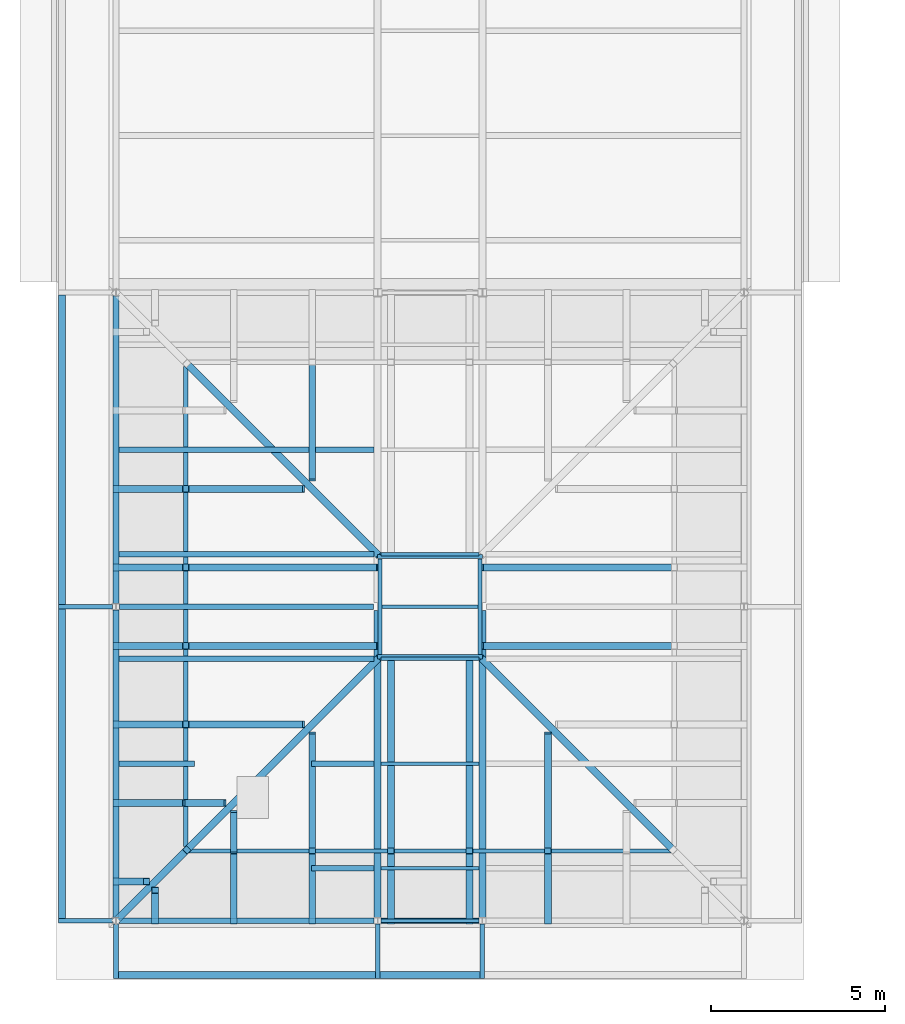
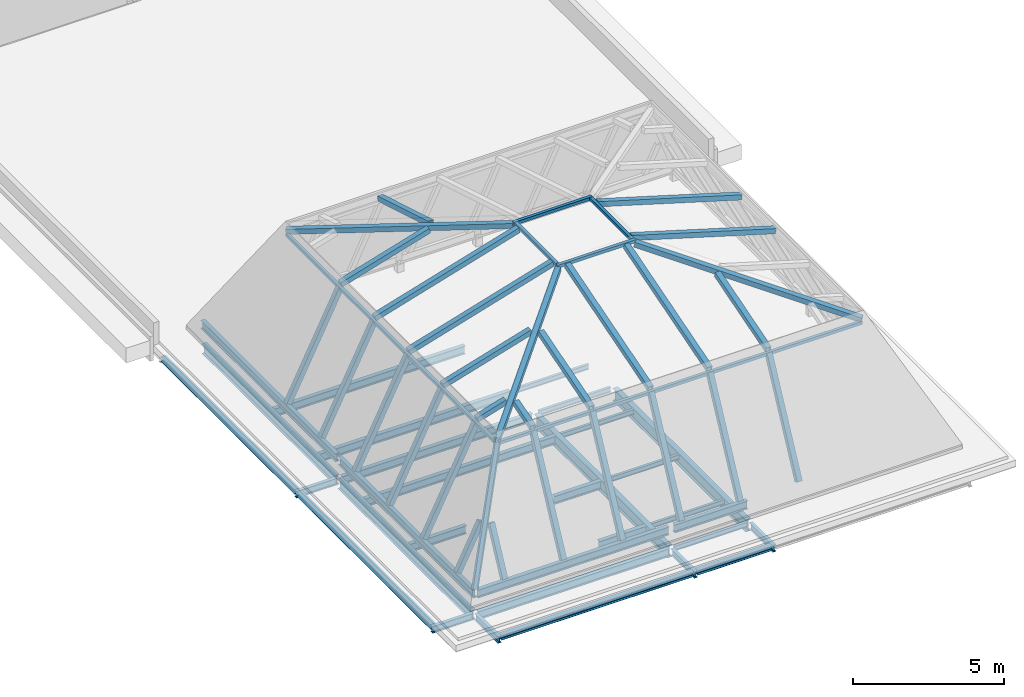
# One storey, part 5 of 29: 35 members, 31 beams.
"""IFC4 building model written with IfcOpenShell, lengths in metres."""

from ifc_helpers import new_model, si_unit, direction, frame, origin, origin_2d, place, context, subcontext, project, spatial, hollow_rectangle, i_section, extrude, material, material_profile, profile_set, type_object, element, save


model = new_model("IFC4")

# Units and contexts
model_context = context("Model", 3, precision=1e-05, world=origin(), true_north=direction((0.0, 1.0)))
body_context = subcontext(model_context, "Body", "Model", "MODEL_VIEW")
ifc_project = project(units=[si_unit("LENGTHUNIT", "METRE"), si_unit("AREAUNIT", "SQUARE_METRE"), si_unit("VOLUMEUNIT", "CUBIC_METRE"), si_unit("PLANEANGLEUNIT", "RADIAN"), si_unit("MASSUNIT", "GRAM", prefix="KILO")], contexts=[model_context])

# Site, building, storey
site_placement = place(None, origin())
site = spatial("IfcSite", under=ifc_project, at=site_placement, CompositionType="ELEMENT")
building_placement = place(site_placement, origin())
building = spatial("IfcBuilding", under=site, at=building_placement, Name="Golden Quay Civic Hall", CompositionType="ELEMENT")
storey_placement = place(building_placement, frame((0.0, 0.0, 27.0)))
storey = spatial("IfcBuildingStorey", under=building, at=storey_placement, Name="L06", CompositionType="ELEMENT", Elevation=27.0)

# Beams
ifc_material_1 = material(Name="Steel S355", Category="steel")
ifc_material_profile_1 = material_profile(ifc_material_1, i_section(OverallWidth=0.199951171875, OverallDepth=0.18994140625, WebThickness=0.006591796875, FlangeThickness=0.010009765625, FilletRadius=0.01806640625, at=origin_2d()), Name="HEA 200")
ifc_profile_set_1 = profile_set([ifc_material_profile_1], Name="Steel S355")
beam_type_1 = type_object("IfcBeamType", Name="Eave edge beam HEA 200", PredefinedType="BEAM", material=ifc_profile_set_1)
for number, where, z_axis, x_axis, name in (
    (1, (-1.550048828125, -8.9326171875, -0.344970703125), (0.0, 1.0, 0.0), (-1.0, 0.0, 0.0), "Eave edge beam HEA 200 L06 1"),
    (2, (-1.550048828125, 0.0673828125, -0.344970703125), (0.0, 1.0, 0.0), (-1.0, 0.0, 0.0), "Eave edge beam HEA 200 L06 2"),
):
    element("IfcBeam", number, at=place(storey_placement, frame(where, z_axis=z_axis, x_axis=x_axis)), inside=storey, type_object=beam_type_1, Name=name, PredefinedType="BEAM", context=body_context, shape_type="SweptSolid", body=[
        extrude(i_section(OverallWidth=0.199951171875, OverallDepth=0.18994140625, WebThickness=0.006591796875, FlangeThickness=0.010009765625, FilletRadius=0.01806640625, at=origin_2d()), origin(), (0.0, 0.0, 1.0), 8.865234375),
    ])
beam_1_placement = place(storey_placement, frame((0.0673828125, -10.550048828125, -0.344970703125), z_axis=(1.0, 0.0, 0.0), x_axis=(0.0, 1.0, 0.0)))
element("IfcBeam", 3, at=beam_1_placement, inside=storey, type_object=beam_type_1, Name="Eave edge beam HEA 200 L06 26", PredefinedType="BEAM", context=body_context, shape_type="SweptSolid", body=[
    extrude(i_section(OverallWidth=0.199951171875, OverallDepth=0.18994140625, WebThickness=0.006591796875, FlangeThickness=0.010009765625, FilletRadius=0.01806640625, at=origin_2d()), origin(), (0.0, 0.0, 1.0), 7.365234375),
])
beam_2_placement = place(storey_placement, frame((7.5673828125, -10.550048828125, -0.344970703125), z_axis=(1.0, 0.0, 0.0), x_axis=(0.0, 1.0, 0.0)))
element("IfcBeam", 4, at=beam_2_placement, inside=storey, type_object=beam_type_1, Name="Eave edge beam HEA 200 L06 27", PredefinedType="BEAM", context=body_context, shape_type="SweptSolid", body=[
    extrude(i_section(OverallWidth=0.199951171875, OverallDepth=0.18994140625, WebThickness=0.006591796875, FlangeThickness=0.010009765625, FilletRadius=0.01806640625, at=origin_2d()), origin(), (0.0, 0.0, 1.0), 2.865234375),
])
ifc_material_2 = material(Name="Steel S355", Category="steel")
ifc_material_profile_2 = material_profile(ifc_material_2, i_section(OverallWidth=0.135009765625, OverallDepth=0.27001953125, WebThickness=0.006591796875, FlangeThickness=0.01025390625, FilletRadius=0.014892578125, at=origin_2d()), Name="IPE 270")
ifc_profile_set_2 = profile_set([ifc_material_profile_2], Name="Steel S355")
beam_type_2 = type_object("IfcBeamType", Name="Eave stub IPE 270", PredefinedType="BEAM", material=ifc_profile_set_2)
for number, where, z_axis, x_axis, name in (
    (5, (-0.10009765625, -9.0, -0.385009765625), (-1.0, 0.0, 0.0), (0.0, -1.0, 0.0), "Eave stub IPE 270 L06 1"),
    (6, (-0.10009765625, 0.0, -0.385009765625), (-1.0, 0.0, 0.0), (0.0, -1.0, 0.0), "Eave stub IPE 270 L06 2"),
):
    element("IfcBeam", number, at=place(storey_placement, frame(where, z_axis=z_axis, x_axis=x_axis)), inside=storey, type_object=beam_type_2, Name=name, PredefinedType="BEAM", context=body_context, shape_type="SweptSolid", body=[
        extrude(i_section(OverallWidth=0.135009765625, OverallDepth=0.27001953125, WebThickness=0.006591796875, FlangeThickness=0.01025390625, FilletRadius=0.014892578125, at=origin_2d()), origin(), (0.0, 0.0, 1.0), 1.5498046875),
    ])
for number, where, z_axis, x_axis, name in (
    (7, (0.0, -9.094970703125, -0.385009765625), (0.0, -1.0, 0.0), (1.0, 0.0, 0.0), "Eave stub IPE 270 L06 29"),
    (8, (7.5, -9.094970703125, -0.385009765625), (0.0, -1.0, 0.0), (1.0, 0.0, 0.0), "Eave stub IPE 270 L06 30"),
    (9, (10.5, -9.094970703125, -0.385009765625), (0.0, -1.0, 0.0), (1.0, 0.0, 0.0), "Eave stub IPE 270 L06 31"),
):
    element("IfcBeam", number, at=place(storey_placement, frame(where, z_axis=z_axis, x_axis=x_axis)), inside=storey, type_object=beam_type_2, Name=name, PredefinedType="BEAM", context=body_context, shape_type="SweptSolid", body=[
        extrude(i_section(OverallWidth=0.135009765625, OverallDepth=0.27001953125, WebThickness=0.006591796875, FlangeThickness=0.01025390625, FilletRadius=0.014892578125, at=origin_2d()), origin(), (0.0, 0.0, 1.0), 1.554931640625),
    ])
ifc_material_3 = material(Name="Steel S355", Category="steel")
ifc_material_profile_3 = material_profile(ifc_material_3, i_section(OverallWidth=0.10009765625, OverallDepth=0.199951171875, WebThickness=0.005615234375, FlangeThickness=0.008544921875, FilletRadius=0.011962890625, at=origin_2d()), Name="IPE 200")
ifc_profile_set_3 = profile_set([ifc_material_profile_3], Name="Steel S355")
beam_type_3 = type_object("IfcBeamType", Name="Steel beam IPE 200", PredefinedType="BEAM", material=ifc_profile_set_3)
beam_3_placement = place(storey_placement, frame((7.60009765625, -9.0, -0.35009765625), z_axis=(1.0, 0.0, 0.0), x_axis=(0.0, 1.0, 0.0)))
element("IfcBeam", 10, at=beam_3_placement, inside=storey, type_object=beam_type_3, Name="Beam S-9-7.5", PredefinedType="BEAM", context=body_context, shape_type="SweptSolid", body=[
    extrude(i_section(OverallWidth=0.10009765625, OverallDepth=0.199951171875, WebThickness=0.005615234375, FlangeThickness=0.008544921875, FilletRadius=0.011962890625, at=origin_2d()), origin(), (0.0, 0.0, 1.0), 2.7998046875),
])
beam_4_placement = place(storey_placement, frame((7.6201171875, 0.0, -0.35009765625), z_axis=(1.0, 0.0, 0.0), x_axis=(0.0, 1.0, 0.0)))
element("IfcBeam", 11, at=beam_4_placement, inside=storey, type_object=beam_type_3, Name="Beam S0-7.5", PredefinedType="BEAM", context=body_context, shape_type="SweptSolid", body=[
    extrude(i_section(OverallWidth=0.10009765625, OverallDepth=0.199951171875, WebThickness=0.005615234375, FlangeThickness=0.008544921875, FilletRadius=0.011962890625, at=origin_2d()), origin(), (0.0, 0.0, 1.0), 2.759765625),
])
ifc_material_4 = material(Name="Steel S355", Category="steel")
ifc_material_profile_4 = material_profile(ifc_material_4, i_section(OverallWidth=0.159912109375, OverallDepth=0.330078125, WebThickness=0.007568359375, FlangeThickness=0.011474609375, FilletRadius=0.01806640625, at=origin_2d()), Name="IPE 330")
ifc_profile_set_4 = profile_set([ifc_material_profile_4], Name="Steel S355")
beam_type_4 = type_object("IfcBeamType", Name="Steel beam IPE 330", PredefinedType="BEAM", material=ifc_profile_set_4)
beam_5_placement = place(storey_placement, frame((0.10009765625, -9.0, -0.4150390625), z_axis=(1.0, 0.0, 0.0), x_axis=(0.0, 1.0, 0.0)))
element("IfcBeam", 12, at=beam_5_placement, inside=storey, type_object=beam_type_4, Name="Beam S-9-0", PredefinedType="BEAM", context=body_context, shape_type="SweptSolid", body=[
    extrude(i_section(OverallWidth=0.159912109375, OverallDepth=0.330078125, WebThickness=0.007568359375, FlangeThickness=0.011474609375, FilletRadius=0.01806640625, at=origin_2d()), origin(), (0.0, 0.0, 1.0), 7.2998046875),
])
beam_6_placement = place(storey_placement, frame((0.10009765625, 0.0, -0.4150390625), z_axis=(1.0, 0.0, 0.0), x_axis=(0.0, 1.0, 0.0)))
element("IfcBeam", 13, at=beam_6_placement, inside=storey, type_object=beam_type_4, Name="Beam S0-0", PredefinedType="BEAM", context=body_context, shape_type="SweptSolid", body=[
    extrude(i_section(OverallWidth=0.159912109375, OverallDepth=0.330078125, WebThickness=0.007568359375, FlangeThickness=0.011474609375, FilletRadius=0.01806640625, at=origin_2d()), origin(), (0.0, 0.0, 1.0), 7.27978515625),
])
ifc_material_5 = material(Name="Steel S355", Category="steel")
ifc_material_profile_5 = material_profile(ifc_material_5, i_section(OverallWidth=0.179931640625, OverallDepth=0.39990234375, WebThickness=0.008544921875, FlangeThickness=0.013427734375, FilletRadius=0.02099609375, at=origin_2d()), Name="IPE 400")
ifc_profile_set_5 = profile_set([ifc_material_profile_5], Name="Steel S355")
beam_type_5 = type_object("IfcBeamType", Name="Steel beam IPE 400", PredefinedType="BEAM", material=ifc_profile_set_5)
for number, where, z_axis, x_axis, name in (
    (14, (0.0, -8.905029296875, -0.449951171875), (0.0, 1.0, 0.0), (-1.0, 0.0, 0.0), "Beam L0--9"),
    (15, (0.0, 0.094970703125, -0.449951171875), (0.0, 1.0, 0.0), (-1.0, 0.0, 0.0), "Beam L0-0"),
):
    element("IfcBeam", number, at=place(storey_placement, frame(where, z_axis=z_axis, x_axis=x_axis)), inside=storey, type_object=beam_type_5, Name=name, PredefinedType="BEAM", context=body_context, shape_type="SweptSolid", body=[
        extrude(i_section(OverallWidth=0.179931640625, OverallDepth=0.39990234375, WebThickness=0.008544921875, FlangeThickness=0.013427734375, FilletRadius=0.02099609375, at=origin_2d()), origin(), (0.0, 0.0, 1.0), 8.81005859375),
    ])
ifc_material_6 = material(Name="Steel S355", Category="steel")
ifc_material_profile_6 = material_profile(ifc_material_6, i_section(OverallWidth=0.199951171875, OverallDepth=0.5, WebThickness=0.01025390625, FlangeThickness=0.01611328125, FilletRadius=0.02099609375, at=origin_2d()), Name="IPE 500")
ifc_profile_set_6 = profile_set([ifc_material_profile_6], Name="Steel S355")
beam_type_6 = type_object("IfcBeamType", Name="Steel beam IPE 500", PredefinedType="BEAM", material=ifc_profile_set_6)
for number, where, z_axis, x_axis, name in (
    (16, (7.5, -8.905029296875, -0.5), (0.0, 1.0, 0.0), (-1.0, 0.0, 0.0), "Beam L7.5--9"),
    (17, (10.5, -8.905029296875, -0.5), (0.0, 1.0, 0.0), (-1.0, 0.0, 0.0), "Beam L10.5--9"),
):
    element("IfcBeam", number, at=place(storey_placement, frame(where, z_axis=z_axis, x_axis=x_axis)), inside=storey, type_object=beam_type_6, Name=name, PredefinedType="BEAM", context=body_context, shape_type="SweptSolid", body=[
        extrude(i_section(OverallWidth=0.199951171875, OverallDepth=0.5, WebThickness=0.01025390625, FlangeThickness=0.01611328125, FilletRadius=0.02099609375, at=origin_2d()), origin(), (0.0, 0.0, 1.0), 8.7900390625),
    ])

# Members
ifc_material_7 = material(Name="Steel S355", Category="steel")
ifc_material_profile_7 = material_profile(ifc_material_7, hollow_rectangle(XDim=0.199951171875, YDim=0.199951171875, WallThickness=0.010009765625, at=origin_2d()), Name="SHS 200x200x10")
ifc_profile_set_7 = profile_set([ifc_material_profile_7], Name="Steel S355")
member_type_1 = type_object("IfcMemberType", Name="Steel jack rafter SHS 200x200x10", PredefinedType="RAFTER", material=ifc_profile_set_7)
member_1_placement = place(storey_placement, frame((1.125, -9.0, 0.6748046875), z_axis=(0.0, 0.4472135955, 0.894427191), x_axis=(-1.0, 0.0, 0.0)))
element("IfcMember", 18, at=member_1_placement, inside=storey, type_object=member_type_1, Name="Jack rafter WO-S south 1", PredefinedType="RAFTER", context=body_context, shape_type="SweptSolid", body=[
    extrude(hollow_rectangle(XDim=0.199951171875, YDim=0.199951171875, WallThickness=0.010009765625, at=origin_2d()), origin(), (0.0, 0.0, 1.0), 1.95654296875),
])
member_2_placement = place(storey_placement, frame((3.375, -9.0, 0.6748046875), z_axis=(0.0, 0.4472135955, 0.894427191), x_axis=(-1.0, 0.0, 0.0)))
element("IfcMember", 19, at=member_2_placement, inside=storey, type_object=member_type_1, Name="Jack rafter WO-S south 2", PredefinedType="RAFTER", context=body_context, shape_type="SweptSolid", body=[
    extrude(hollow_rectangle(XDim=0.199951171875, YDim=0.199951171875, WallThickness=0.010009765625, at=origin_2d()), origin(), (0.0, 0.0, 1.0), 4.47216796875),
])
member_3_placement = place(storey_placement, frame((3.375, -7.0, 4.7939453125), z_axis=(0.0, 0.957849166577, 0.287271603344), x_axis=(-1.0, 0.0, 0.0)))
element("IfcMember", 20, at=member_3_placement, inside=storey, type_object=member_type_1, Name="Jack rafter WO-S south 2 upper", PredefinedType="RAFTER", context=body_context, shape_type="SweptSolid", body=[
    extrude(hollow_rectangle(XDim=0.199951171875, YDim=0.199951171875, WallThickness=0.010009765625, at=origin_2d()), origin(), (0.0, 0.0, 1.0), 1.174560546875),
])
member_4_placement = place(storey_placement, frame((5.625, -9.0, 0.6748046875), z_axis=(0.0, 0.4472135955, 0.894427191), x_axis=(-1.0, 0.0, 0.0)))
element("IfcMember", 21, at=member_4_placement, inside=storey, type_object=member_type_1, Name="Jack rafter WO-S south 3", PredefinedType="RAFTER", context=body_context, shape_type="SweptSolid", body=[
    extrude(hollow_rectangle(XDim=0.199951171875, YDim=0.199951171875, WallThickness=0.010009765625, at=origin_2d()), origin(), (0.0, 0.0, 1.0), 4.47216796875),
])
member_5_placement = place(storey_placement, frame((5.625, -7.0, 4.7939453125), z_axis=(0.0, 0.957830099126, 0.287335172242), x_axis=(-1.0, 0.0, 0.0)))
element("IfcMember", 22, at=member_5_placement, inside=storey, type_object=member_type_1, Name="Jack rafter WO-S south 3 upper", PredefinedType="RAFTER", context=body_context, shape_type="SweptSolid", body=[
    extrude(hollow_rectangle(XDim=0.199951171875, YDim=0.199951171875, WallThickness=0.010009765625, at=origin_2d()), origin(), (0.0, 0.0, 1.0), 3.523681640625),
])
member_6_placement = place(storey_placement, frame((7.875, -9.0, 0.6748046875), z_axis=(0.0, 0.4472135955, 0.894427191), x_axis=(-1.0, 0.0, 0.0)))
element("IfcMember", 23, at=member_6_placement, inside=storey, type_object=member_type_1, Name="Jack rafter WO-S south 4", PredefinedType="RAFTER", context=body_context, shape_type="SweptSolid", body=[
    extrude(hollow_rectangle(XDim=0.199951171875, YDim=0.199951171875, WallThickness=0.010009765625, at=origin_2d()), origin(), (0.0, 0.0, 1.0), 4.47216796875),
])
member_7_placement = place(storey_placement, frame((7.875, -7.0, 4.7939453125), z_axis=(0.0, 0.957830965904, 0.287332282829), x_axis=(-1.0, 0.0, 0.0)))
element("IfcMember", 24, at=member_7_placement, inside=storey, type_object=member_type_1, Name="Jack rafter WO-S south 4 upper", PredefinedType="RAFTER", context=body_context, shape_type="SweptSolid", body=[
    extrude(hollow_rectangle(XDim=0.199951171875, YDim=0.199951171875, WallThickness=0.010009765625, at=origin_2d()), origin(), (0.0, 0.0, 1.0), 5.7421875),
])
member_8_placement = place(storey_placement, frame((10.125, -9.0, 0.6748046875), z_axis=(0.0, 0.4472135955, 0.894427191), x_axis=(-1.0, 0.0, 0.0)))
element("IfcMember", 25, at=member_8_placement, inside=storey, type_object=member_type_1, Name="Jack rafter WO-S south 5", PredefinedType="RAFTER", context=body_context, shape_type="SweptSolid", body=[
    extrude(hollow_rectangle(XDim=0.199951171875, YDim=0.199951171875, WallThickness=0.010009765625, at=origin_2d()), origin(), (0.0, 0.0, 1.0), 4.47216796875),
])
member_9_placement = place(storey_placement, frame((10.125, -7.0, 4.7939453125), z_axis=(0.0, 0.957830965904, 0.287332282829), x_axis=(-1.0, 0.0, 0.0)))
element("IfcMember", 26, at=member_9_placement, inside=storey, type_object=member_type_1, Name="Jack rafter WO-S south 5 upper", PredefinedType="RAFTER", context=body_context, shape_type="SweptSolid", body=[
    extrude(hollow_rectangle(XDim=0.199951171875, YDim=0.199951171875, WallThickness=0.010009765625, at=origin_2d()), origin(), (0.0, 0.0, 1.0), 5.7421875),
])
member_10_placement = place(storey_placement, frame((12.375, -9.0, 0.6748046875), z_axis=(0.0, 0.4472135955, 0.894427191), x_axis=(-1.0, 0.0, 0.0)))
element("IfcMember", 27, at=member_10_placement, inside=storey, type_object=member_type_1, Name="Jack rafter WO-S south 6", PredefinedType="RAFTER", context=body_context, shape_type="SweptSolid", body=[
    extrude(hollow_rectangle(XDim=0.199951171875, YDim=0.199951171875, WallThickness=0.010009765625, at=origin_2d()), origin(), (0.0, 0.0, 1.0), 4.47216796875),
])
for number, where, z_axis, x_axis, name in (
    (28, (12.375, -7.0, 4.7939453125), (0.0, 0.957830099126, 0.287335172242), (-1.0, 0.0, 0.0), "Jack rafter WO-S south 6 upper"),
    (29, (5.625, 7.0, 4.7939453125), (0.0, -0.957830099126, 0.287335172242), (1.0, 0.0, 0.0), "Jack rafter WO-S north 3 upper"),
):
    element("IfcMember", number, at=place(storey_placement, frame(where, z_axis=z_axis, x_axis=x_axis)), inside=storey, type_object=member_type_1, Name=name, PredefinedType="RAFTER", context=body_context, shape_type="SweptSolid", body=[
        extrude(hollow_rectangle(XDim=0.199951171875, YDim=0.199951171875, WallThickness=0.010009765625, at=origin_2d()), origin(), (0.0, 0.0, 1.0), 3.523681640625),
    ])
member_11_placement = place(storey_placement, frame((0.0, -7.875, 0.6748046875), z_axis=(0.4472135955, 0.0, 0.894427191), x_axis=(0.0, 1.0, 0.0)))
element("IfcMember", 30, at=member_11_placement, inside=storey, type_object=member_type_1, Name="Jack rafter WO-S west 1", PredefinedType="RAFTER", context=body_context, shape_type="SweptSolid", body=[
    extrude(hollow_rectangle(XDim=0.199951171875, YDim=0.199951171875, WallThickness=0.010009765625, at=origin_2d()), origin(), (0.0, 0.0, 1.0), 1.95654296875),
])
member_12_placement = place(storey_placement, frame((0.0, -5.625, 0.6748046875), z_axis=(0.4472135955, 0.0, 0.894427191), x_axis=(0.0, 1.0, 0.0)))
element("IfcMember", 31, at=member_12_placement, inside=storey, type_object=member_type_1, Name="Jack rafter WO-S west 2", PredefinedType="RAFTER", context=body_context, shape_type="SweptSolid", body=[
    extrude(hollow_rectangle(XDim=0.199951171875, YDim=0.199951171875, WallThickness=0.010009765625, at=origin_2d()), origin(), (0.0, 0.0, 1.0), 4.47216796875),
])
member_13_placement = place(storey_placement, frame((2.0, -5.625, 4.7939453125), z_axis=(0.957849166577, 0.0, 0.287271603344), x_axis=(0.0, 1.0, 0.0)))
element("IfcMember", 32, at=member_13_placement, inside=storey, type_object=member_type_1, Name="Jack rafter WO-S west 2 upper", PredefinedType="RAFTER", context=body_context, shape_type="SweptSolid", body=[
    extrude(hollow_rectangle(XDim=0.199951171875, YDim=0.199951171875, WallThickness=0.010009765625, at=origin_2d()), origin(), (0.0, 0.0, 1.0), 1.174560546875),
])
member_14_placement = place(storey_placement, frame((0.0, -3.375, 0.6748046875), z_axis=(0.4472135955, 0.0, 0.894427191), x_axis=(0.0, 1.0, 0.0)))
element("IfcMember", 33, at=member_14_placement, inside=storey, type_object=member_type_1, Name="Jack rafter WO-S west 3", PredefinedType="RAFTER", context=body_context, shape_type="SweptSolid", body=[
    extrude(hollow_rectangle(XDim=0.199951171875, YDim=0.199951171875, WallThickness=0.010009765625, at=origin_2d()), origin(), (0.0, 0.0, 1.0), 4.47216796875),
])
member_15_placement = place(storey_placement, frame((2.0, -3.375, 4.7939453125), z_axis=(0.957830099126, 0.0, 0.287335172242), x_axis=(0.0, 1.0, 0.0)))
element("IfcMember", 34, at=member_15_placement, inside=storey, type_object=member_type_1, Name="Jack rafter WO-S west 3 upper", PredefinedType="RAFTER", context=body_context, shape_type="SweptSolid", body=[
    extrude(hollow_rectangle(XDim=0.199951171875, YDim=0.199951171875, WallThickness=0.010009765625, at=origin_2d()), origin(), (0.0, 0.0, 1.0), 3.523681640625),
])
member_16_placement = place(storey_placement, frame((0.0, -1.125, 0.6748046875), z_axis=(0.4472135955, 0.0, 0.894427191), x_axis=(0.0, 1.0, 0.0)))
element("IfcMember", 35, at=member_16_placement, inside=storey, type_object=member_type_1, Name="Jack rafter WO-S west 4", PredefinedType="RAFTER", context=body_context, shape_type="SweptSolid", body=[
    extrude(hollow_rectangle(XDim=0.199951171875, YDim=0.199951171875, WallThickness=0.010009765625, at=origin_2d()), origin(), (0.0, 0.0, 1.0), 4.47216796875),
])
member_17_placement = place(storey_placement, frame((2.0, -1.125, 4.7939453125), z_axis=(0.957830965904, 0.0, 0.287332282829), x_axis=(0.0, 1.0, 0.0)))
element("IfcMember", 36, at=member_17_placement, inside=storey, type_object=member_type_1, Name="Jack rafter WO-S west 4 upper", PredefinedType="RAFTER", context=body_context, shape_type="SweptSolid", body=[
    extrude(hollow_rectangle(XDim=0.199951171875, YDim=0.199951171875, WallThickness=0.010009765625, at=origin_2d()), origin(), (0.0, 0.0, 1.0), 5.7421875),
])
member_18_placement = place(storey_placement, frame((0.0, 1.125, 0.6748046875), z_axis=(0.4472135955, 0.0, 0.894427191), x_axis=(0.0, 1.0, 0.0)))
element("IfcMember", 37, at=member_18_placement, inside=storey, type_object=member_type_1, Name="Jack rafter WO-S west 5", PredefinedType="RAFTER", context=body_context, shape_type="SweptSolid", body=[
    extrude(hollow_rectangle(XDim=0.199951171875, YDim=0.199951171875, WallThickness=0.010009765625, at=origin_2d()), origin(), (0.0, 0.0, 1.0), 4.47216796875),
])
member_19_placement = place(storey_placement, frame((2.0, 1.125, 4.7939453125), z_axis=(0.957830965904, 0.0, 0.287332282829), x_axis=(0.0, 1.0, 0.0)))
element("IfcMember", 38, at=member_19_placement, inside=storey, type_object=member_type_1, Name="Jack rafter WO-S west 5 upper", PredefinedType="RAFTER", context=body_context, shape_type="SweptSolid", body=[
    extrude(hollow_rectangle(XDim=0.199951171875, YDim=0.199951171875, WallThickness=0.010009765625, at=origin_2d()), origin(), (0.0, 0.0, 1.0), 5.7421875),
])
member_20_placement = place(storey_placement, frame((0.0, 3.375, 0.6748046875), z_axis=(0.4472135955, 0.0, 0.894427191), x_axis=(0.0, 1.0, 0.0)))
element("IfcMember", 39, at=member_20_placement, inside=storey, type_object=member_type_1, Name="Jack rafter WO-S west 6", PredefinedType="RAFTER", context=body_context, shape_type="SweptSolid", body=[
    extrude(hollow_rectangle(XDim=0.199951171875, YDim=0.199951171875, WallThickness=0.010009765625, at=origin_2d()), origin(), (0.0, 0.0, 1.0), 4.47216796875),
])
member_21_placement = place(storey_placement, frame((2.0, 3.375, 4.7939453125), z_axis=(0.957830099126, 0.0, 0.287335172242), x_axis=(0.0, 1.0, 0.0)))
element("IfcMember", 40, at=member_21_placement, inside=storey, type_object=member_type_1, Name="Jack rafter WO-S west 6 upper", PredefinedType="RAFTER", context=body_context, shape_type="SweptSolid", body=[
    extrude(hollow_rectangle(XDim=0.199951171875, YDim=0.199951171875, WallThickness=0.010009765625, at=origin_2d()), origin(), (0.0, 0.0, 1.0), 3.523681640625),
])
for number, where, z_axis, x_axis, name in (
    (41, (16.0, -1.125, 4.7939453125), (-0.957830965904, 0.0, 0.287332282829), (0.0, -1.0, 0.0), "Jack rafter WO-S east 4 upper"),
    (42, (16.0, 1.125, 4.7939453125), (-0.957830965904, 0.0, 0.287332282829), (0.0, -1.0, 0.0), "Jack rafter WO-S east 5 upper"),
):
    element("IfcMember", number, at=place(storey_placement, frame(where, z_axis=z_axis, x_axis=x_axis)), inside=storey, type_object=member_type_1, Name=name, PredefinedType="RAFTER", context=body_context, shape_type="SweptSolid", body=[
        extrude(hollow_rectangle(XDim=0.199951171875, YDim=0.199951171875, WallThickness=0.010009765625, at=origin_2d()), origin(), (0.0, 0.0, 1.0), 5.7421875),
    ])

# Beams
ifc_material_8 = material(Name="Steel S355", Category="steel")
ifc_material_profile_8 = material_profile(ifc_material_8, i_section(OverallWidth=0.10009765625, OverallDepth=0.199951171875, WebThickness=0.005615234375, FlangeThickness=0.008544921875, FilletRadius=0.011962890625, at=origin_2d()), Name="IPE 200")
ifc_profile_set_8 = profile_set([ifc_material_profile_8], Name="Steel S355")
beam_type_7 = type_object("IfcBeamType", Name="Steel joist IPE 200", PredefinedType="JOIST", material=ifc_profile_set_8)
for number, where, z_axis, x_axis, name in (
    (43, (7.60009765625, -7.5, -0.35009765625), (1.0, 0.0, 0.0), (0.0, 1.0, 0.0), "Joist J-7.5-7.5"),
    (44, (7.60009765625, -4.5, -0.35009765625), (1.0, 0.0, 0.0), (0.0, 1.0, 0.0), "Joist J-4.5-7.5"),
    (45, (7.60009765625, -1.5, -0.35009765625), (1.0, 0.0, 0.0), (0.0, 1.0, 0.0), "Joist J-1.5-7.5"),
    (46, (7.60009765625, 1.5, -0.35009765625), (1.0, 0.0, 0.0), (0.0, 1.0, 0.0), "Joist J1.5-7.5"),
):
    element("IfcBeam", number, at=place(storey_placement, frame(where, z_axis=z_axis, x_axis=x_axis)), inside=storey, type_object=beam_type_7, Name=name, PredefinedType="JOIST", context=body_context, shape_type="SweptSolid", body=[
        extrude(i_section(OverallWidth=0.10009765625, OverallDepth=0.199951171875, WebThickness=0.005615234375, FlangeThickness=0.008544921875, FilletRadius=0.011962890625, at=origin_2d()), origin(), (0.0, 0.0, 1.0), 2.7998046875),
    ])
ifc_material_9 = material(Name="Steel S355", Category="steel")
ifc_material_profile_9 = material_profile(ifc_material_9, i_section(OverallWidth=0.159912109375, OverallDepth=0.330078125, WebThickness=0.007568359375, FlangeThickness=0.011474609375, FilletRadius=0.01806640625, at=origin_2d()), Name="IPE 330")
ifc_profile_set_9 = profile_set([ifc_material_profile_9], Name="Steel S355")
beam_type_8 = type_object("IfcBeamType", Name="Steel joist IPE 330", PredefinedType="JOIST", material=ifc_profile_set_9)
beam_7_placement = place(storey_placement, frame((5.60009765625, -7.5, -0.4150390625), z_axis=(1.0, 0.0, 0.0), x_axis=(0.0, 1.0, 0.0)))
element("IfcBeam", 47, at=beam_7_placement, inside=storey, type_object=beam_type_8, Name="Joist J-7.5-0-1", PredefinedType="JOIST", context=body_context, shape_type="SweptSolid", body=[
    extrude(i_section(OverallWidth=0.159912109375, OverallDepth=0.330078125, WebThickness=0.007568359375, FlangeThickness=0.011474609375, FilletRadius=0.01806640625, at=origin_2d()), origin(), (0.0, 0.0, 1.0), 1.7998046875),
])
beam_8_placement = place(storey_placement, frame((0.090087890625, -4.5, -0.4150390625), z_axis=(1.0, 0.0, 0.0), x_axis=(0.0, 1.0, 0.0)))
element("IfcBeam", 48, at=beam_8_placement, inside=storey, type_object=beam_type_8, Name="Joist J-4.5-0-0", PredefinedType="JOIST", context=body_context, shape_type="SweptSolid", body=[
    extrude(i_section(OverallWidth=0.159912109375, OverallDepth=0.330078125, WebThickness=0.007568359375, FlangeThickness=0.011474609375, FilletRadius=0.01806640625, at=origin_2d()), origin(), (0.0, 0.0, 1.0), 2.159912109375),
])
beam_9_placement = place(storey_placement, frame((5.60009765625, -4.5, -0.4150390625), z_axis=(1.0, 0.0, 0.0), x_axis=(0.0, 1.0, 0.0)))
element("IfcBeam", 49, at=beam_9_placement, inside=storey, type_object=beam_type_8, Name="Joist J-4.5-0-1", PredefinedType="JOIST", context=body_context, shape_type="SweptSolid", body=[
    extrude(i_section(OverallWidth=0.159912109375, OverallDepth=0.330078125, WebThickness=0.007568359375, FlangeThickness=0.011474609375, FilletRadius=0.01806640625, at=origin_2d()), origin(), (0.0, 0.0, 1.0), 1.7998046875),
])
for number, where, z_axis, x_axis, name in (
    (50, (0.090087890625, -1.5, -0.4150390625), (1.0, 0.0, 0.0), (0.0, 1.0, 0.0), "Joist J-1.5-0"),
    (51, (0.090087890625, 1.5, -0.4150390625), (1.0, 0.0, 0.0), (0.0, 1.0, 0.0), "Joist J1.5-0"),
    (52, (0.090087890625, 4.5, -0.4150390625), (1.0, 0.0, 0.0), (0.0, 1.0, 0.0), "Joist J4.5-0"),
):
    element("IfcBeam", number, at=place(storey_placement, frame(where, z_axis=z_axis, x_axis=x_axis)), inside=storey, type_object=beam_type_8, Name=name, PredefinedType="JOIST", context=body_context, shape_type="SweptSolid", body=[
        extrude(i_section(OverallWidth=0.159912109375, OverallDepth=0.330078125, WebThickness=0.007568359375, FlangeThickness=0.011474609375, FilletRadius=0.01806640625, at=origin_2d()), origin(), (0.0, 0.0, 1.0), 7.309814453125),
    ])

# Members
ifc_material_10 = material(Name="Steel S355", Category="steel")
ifc_material_profile_10 = material_profile(ifc_material_10, hollow_rectangle(XDim=0.199951171875, YDim=0.199951171875, WallThickness=0.010009765625, at=origin_2d()), Name="SHS 200x200x10")
ifc_profile_set_10 = profile_set([ifc_material_profile_10], Name="Steel S355")
member_type_2 = type_object("IfcMemberType", Name="Steel pavilion hip rafter SHS 200x200x10", PredefinedType="RAFTER", material=ifc_profile_set_10)
member_22_placement = place(storey_placement, frame((0.0, -9.0, 0.642578125), z_axis=(0.412304184706, 0.412304184706, 0.812410314157), x_axis=(-0.707106781187, 0.707106781187, 0.0)))
element("IfcMember", 53, at=member_22_placement, inside=storey, type_object=member_type_2, Name="Hip rafter WO-S south-west lower", PredefinedType="RAFTER", context=body_context, shape_type="SweptSolid", body=[
    extrude(hollow_rectangle(XDim=0.199951171875, YDim=0.199951171875, WallThickness=0.010009765625, at=origin_2d()), origin(), (0.0, 0.0, 1.0), 4.923583984375),
])
for number, where, z_axis, x_axis, name in (
    (54, (2.030029296875, -6.969970703125, 4.7509765625), (0.691716226767, 0.691716226767, 0.207502586137), (-0.707106781187, 0.707106781187, 0.0), "Hip rafter WO-S south-west upper"),
    (55, (15.969970703125, -6.969970703125, 4.7509765625), (-0.691716226767, 0.691716226767, 0.207502586137), (-0.707106781187, -0.707106781187, 0.0), "Hip rafter WO-S south-east upper"),
    (56, (2.030029296875, 6.969970703125, 4.7509765625), (0.691716226767, -0.691716226767, 0.207502586137), (0.707106781187, 0.707106781187, 0.0), "Hip rafter WO-S north-west upper"),
):
    element("IfcMember", number, at=place(storey_placement, frame(where, z_axis=z_axis, x_axis=x_axis)), inside=storey, type_object=member_type_2, Name=name, PredefinedType="RAFTER", context=body_context, shape_type="SweptSolid", body=[
        extrude(hollow_rectangle(XDim=0.199951171875, YDim=0.199951171875, WallThickness=0.010009765625, at=origin_2d()), origin(), (0.0, 0.0, 1.0), 7.951171875),
    ])
ifc_material_11 = material(Name="Steel S355", Category="steel")
ifc_material_profile_11 = material_profile(ifc_material_11, hollow_rectangle(XDim=0.1201171875, YDim=0.1201171875, WallThickness=0.008056640625, at=origin_2d()), Name="SHS 120x120x8")
ifc_profile_set_11 = profile_set([ifc_material_profile_11], Name="Steel S355")
member_type_3 = type_object("IfcMemberType", Name="Steel roof purlin SHS 120x120x8", PredefinedType="PURLIN", material=ifc_profile_set_11)
for number, where, z_axis, x_axis, name in (
    (57, (7.5, -1.43505859375, 6.48828125), (1.0, 0.0, 0.0), (0.0, 1.0, 0.0), "Cap purlin WO-S south"),
    (58, (7.5, 1.43505859375, 6.48828125), (1.0, 0.0, 0.0), (0.0, 1.0, 0.0), "Cap purlin WO-S north"),
):
    element("IfcMember", number, at=place(storey_placement, frame(where, z_axis=z_axis, x_axis=x_axis)), inside=storey, type_object=member_type_3, Name=name, PredefinedType="PURLIN", context=body_context, shape_type="SweptSolid", body=[
        extrude(hollow_rectangle(XDim=0.1201171875, YDim=0.1201171875, WallThickness=0.008056640625, at=origin_2d()), origin(), (0.0, 0.0, 1.0), 3.0),
    ])
for number, where, z_axis, x_axis, name in (
    (59, (7.56494140625, -1.3701171875, 6.48828125), (0.0, 1.0, 0.0), (-1.0, 0.0, 0.0), "Cap purlin WO-S west"),
    (60, (10.43505859375, -1.3701171875, 6.48828125), (0.0, 1.0, 0.0), (-1.0, 0.0, 0.0), "Cap purlin WO-S east"),
):
    element("IfcMember", number, at=place(storey_placement, frame(where, z_axis=z_axis, x_axis=x_axis)), inside=storey, type_object=member_type_3, Name=name, PredefinedType="PURLIN", context=body_context, shape_type="SweptSolid", body=[
        extrude(hollow_rectangle(XDim=0.1201171875, YDim=0.1201171875, WallThickness=0.008056640625, at=origin_2d()), origin(), (0.0, 0.0, 1.0), 2.740234375),
    ])
member_23_placement = place(storey_placement, frame((2.06005859375, -7.0, 4.64990234375), z_axis=(1.0, 0.0, 0.0), x_axis=(0.0, 1.0, 0.0)))
element("IfcMember", 61, at=member_23_placement, inside=storey, type_object=member_type_3, Name="Break purlin WO-S south", PredefinedType="PURLIN", context=body_context, shape_type="SweptSolid", body=[
    extrude(hollow_rectangle(XDim=0.1201171875, YDim=0.1201171875, WallThickness=0.008056640625, at=origin_2d()), origin(), (0.0, 0.0, 1.0), 13.8798828125),
])
member_24_placement = place(storey_placement, frame((2.0, -6.8798828125, 4.64990234375), z_axis=(0.0, 1.0, 0.0), x_axis=(-1.0, 0.0, 0.0)))
element("IfcMember", 62, at=member_24_placement, inside=storey, type_object=member_type_3, Name="Break purlin WO-S west", PredefinedType="PURLIN", context=body_context, shape_type="SweptSolid", body=[
    extrude(hollow_rectangle(XDim=0.1201171875, YDim=0.1201171875, WallThickness=0.008056640625, at=origin_2d()), origin(), (0.0, 0.0, 1.0), 13.759765625),
])

# Beams
ifc_material_12 = material(Name="Steel S355", Category="steel")
ifc_material_profile_12 = material_profile(ifc_material_12, i_section(OverallWidth=0.159912109375, OverallDepth=0.330078125, WebThickness=0.007568359375, FlangeThickness=0.011474609375, FilletRadius=0.01806640625, at=origin_2d()), Name="IPE 330")
ifc_profile_set_12 = profile_set([ifc_material_profile_12], Name="Steel S355")
beam_type_9 = type_object("IfcBeamType", Name="Steel wall plate beam IPE 330", PredefinedType="BEAM", material=ifc_profile_set_12)
beam_10_placement = place(storey_placement, frame((0.080078125, -9.0, 0.465087890625), z_axis=(1.0, 0.0, 0.0), x_axis=(0.0, 1.0, 0.0)))
element("IfcBeam", 63, at=beam_10_placement, inside=storey, type_object=beam_type_9, Name="Wall plate beam WO-S S1", PredefinedType="BEAM", context=body_context, shape_type="SweptSolid", body=[
    extrude(i_section(OverallWidth=0.159912109375, OverallDepth=0.330078125, WebThickness=0.007568359375, FlangeThickness=0.011474609375, FilletRadius=0.01806640625, at=origin_2d()), origin(), (0.0, 0.0, 1.0), 7.31982421875),
])
beam_11_placement = place(storey_placement, frame((7.60009765625, -9.0, 0.465087890625), z_axis=(1.0, 0.0, 0.0), x_axis=(0.0, 1.0, 0.0)))
element("IfcBeam", 64, at=beam_11_placement, inside=storey, type_object=beam_type_9, Name="Wall plate beam WO-S S2", PredefinedType="BEAM", context=body_context, shape_type="SweptSolid", body=[
    extrude(i_section(OverallWidth=0.159912109375, OverallDepth=0.330078125, WebThickness=0.007568359375, FlangeThickness=0.011474609375, FilletRadius=0.01806640625, at=origin_2d()), origin(), (0.0, 0.0, 1.0), 2.7998046875),
])
for number, where, z_axis, x_axis, name in (
    (65, (0.0, -9.0, 0.465087890625), (0.0, 1.0, 0.0), (-1.0, 0.0, 0.0), "Wall plate beam WO-S W1"),
    (66, (0.0, 0.094970703125, 0.465087890625), (0.0, 1.0, 0.0), (-1.0, 0.0, 0.0), "Wall plate beam WO-S W2"),
):
    element("IfcBeam", number, at=place(storey_placement, frame(where, z_axis=z_axis, x_axis=x_axis)), inside=storey, type_object=beam_type_9, Name=name, PredefinedType="BEAM", context=body_context, shape_type="SweptSolid", body=[
        extrude(i_section(OverallWidth=0.159912109375, OverallDepth=0.330078125, WebThickness=0.007568359375, FlangeThickness=0.011474609375, FilletRadius=0.01806640625, at=origin_2d()), origin(), (0.0, 0.0, 1.0), 8.905029296875),
    ])

save(model, "model.ifc")
